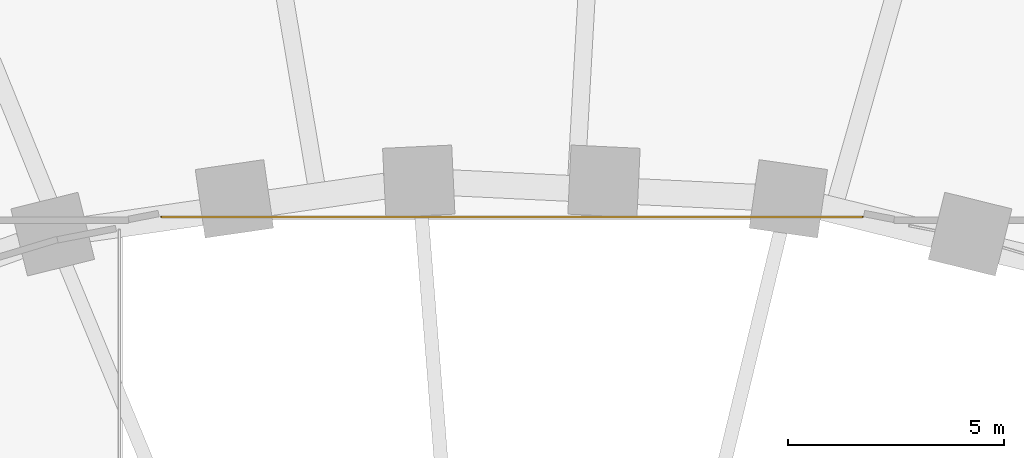
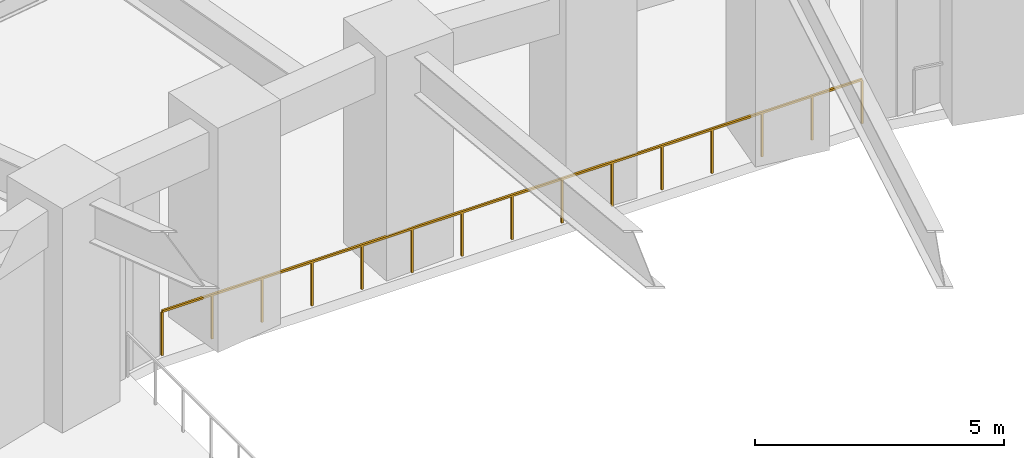
# One storey, part 69 of 69: 1 railing.
"""IFC4 building model written with IfcOpenShell, lengths in metres."""

import ifcopenshell
import ifcopenshell.guid

model = None  # the IFC model being written
_history = None  # IfcOwnerHistory: only IFC2X3 demands one
_inside = {}  # id of a spatial element -> (the spatial element, [elements in it])
_under = {}  # id of a project, library or spatial element -> (it, [spatial elements below it])
_declared = {}  # id of a project -> (the project, [libraries it declares])
_typed = {}  # id of a type object -> (the type object, [elements of that type])
_made_of = {}  # id of a material, layer set ... -> (it, [elements and type objects made of it])


def new_model(schema):
    """Start an empty IFC model of exactly this schema.

    Asked for "IFC4X3", IfcOpenShell would pick the latest addendum, in which some entities
    have other attributes; the version numbers below select the first issue.
    IFC2X3 requires an IfcOwnerHistory on every rooted entity: one is made here for all.
    """
    global model, _history
    if schema == "IFC4X3":
        model = ifcopenshell.file(schema_version=(4, 3, 0, 0))
    else:
        model = ifcopenshell.file(schema=schema)
    _inside.clear()
    _under.clear()
    _declared.clear()
    _typed.clear()
    _made_of.clear()
    _history = None
    if model.schema == "IFC2X3":
        org = make("IfcOrganization", Name="unknown")
        user = make(
            "IfcPersonAndOrganization",
            ThePerson=make("IfcPerson", FamilyName="unknown"),
            TheOrganization=org,
        )
        app = make(
            "IfcApplication",
            ApplicationDeveloper=org,
            Version="unknown",
            ApplicationFullName="unknown",
            ApplicationIdentifier="unknown",
        )
        _history = make(
            "IfcOwnerHistory",
            OwningUser=user,
            OwningApplication=app,
            ChangeAction="ADDED",
            CreationDate=0,
        )
    return model


def make(cls, **values):
    """One entity of the class cls with the attributes given. An attribute that is None is left unset."""
    return model.create_entity(
        cls, **{name: value for name, value in values.items() if value is not None}
    )


def rooted(cls, **values):
    """An entity with a GlobalId (a new one), such as an element, a storey or a relation."""
    return make(cls, GlobalId=ifcopenshell.guid.new(), OwnerHistory=_history, **values)


def si_unit(unit_type, name, prefix=None):
    """IfcSIUnit, for example si_unit("LENGTHUNIT", "METRE", prefix="MILLI")."""
    return make("IfcSIUnit", UnitType=unit_type, Prefix=prefix, Name=name)


def assignment(units):
    """IfcUnitAssignment: the units of a project."""
    return None if units is None else make("IfcUnitAssignment", Units=units)


def point(xyz):
    """IfcCartesianPoint."""
    return None if xyz is None else make("IfcCartesianPoint", Coordinates=xyz)


def direction(xyz):
    """IfcDirection."""
    return None if xyz is None else make("IfcDirection", DirectionRatios=xyz)


def frame(location, z_axis=None, x_axis=None):
    """IfcAxis2Placement3D, a coordinate frame: its origin and axes. An axis left out is left unset."""
    return make(
        "IfcAxis2Placement3D",
        Location=point(location),
        Axis=direction(z_axis),
        RefDirection=direction(x_axis),
    )


def frame_2d(location, x_axis=None):
    """IfcAxis2Placement2D, a coordinate frame in the plane: its origin and x axis."""
    return make(
        "IfcAxis2Placement2D", Location=point(location), RefDirection=direction(x_axis)
    )


def origin():
    """The frame at (0, 0, 0) with its axes left unset."""
    return frame((0.0, 0.0, 0.0))


def origin_2d():
    """The frame at (0, 0) in the plane with its x axis left unset."""
    return frame_2d((0.0, 0.0))


def place(relative_to, where):
    """IfcLocalPlacement: puts the frame where relative to a parent placement (None: the world)."""
    return make(
        "IfcLocalPlacement", PlacementRelTo=relative_to, RelativePlacement=where
    )


def context(
    kind, dimensions, precision=None, world=None, true_north=None, identifier=None
):
    """IfcGeometricRepresentationContext, for example the 3D "Model" context."""
    return make(
        "IfcGeometricRepresentationContext",
        ContextIdentifier=identifier,
        ContextType=kind,
        CoordinateSpaceDimension=dimensions,
        Precision=precision,
        WorldCoordinateSystem=world,
        TrueNorth=true_north,
    )


def subcontext(parent, identifier, kind, view, scale=None):
    """IfcGeometricRepresentationSubContext, for example "Body" below "Model"."""
    return make(
        "IfcGeometricRepresentationSubContext",
        ContextIdentifier=identifier,
        ContextType=kind,
        ParentContext=parent,
        TargetScale=scale,
        TargetView=view,
    )


def project(units=None, contexts=None):
    """IfcProject with its units and contexts."""
    return rooted(
        "IfcProject",
        Name="project",
        RepresentationContexts=contexts,
        UnitsInContext=assignment(units),
    )


def spatial(cls, under=None, at=None, **own):
    """A site, building, storey or space (cls), placed at a placement, below another one or the project."""
    s = rooted(cls, ObjectPlacement=at, **own)
    if under is not None:
        _under.setdefault(under.id(), (under, []))[1].append(s)
    return s


def profile(cls, at=None, kind="AREA", **sizes):
    """A parametric profile (cls). Its sizes go by their IFC names, for example OverallWidth=200.0."""
    return make(cls, ProfileType=kind, Position=at, **sizes)


def rectangle(**sizes):
    """IfcRectangleProfileDef."""
    return profile("IfcRectangleProfileDef", **sizes)


def extrude(swept, where, along, depth):
    """IfcExtrudedAreaSolid: the profile swept, set in the frame where, extruded along a direction by depth."""
    return make(
        "IfcExtrudedAreaSolid",
        SweptArea=swept,
        Position=where,
        ExtrudedDirection=direction(along),
        Depth=depth,
    )


def shape(context_of_items, identifier, shape_type, items):
    """IfcShapeRepresentation: the items that make up one representation, for example the "Body"."""
    return make(
        "IfcShapeRepresentation",
        ContextOfItems=context_of_items,
        RepresentationIdentifier=identifier,
        RepresentationType=shape_type,
        Items=items,
    )


def material(Name=None, Category=None):
    """IfcMaterial."""
    return make("IfcMaterial", Name=Name, Category=Category)


def made_of(thing, what):
    """Note that an element or type object is made of a material, layer set ...; save() writes the relation."""
    if what is not None:
        _made_of.setdefault(what.id(), (what, []))[1].append(thing)
    return thing


def type_object(cls, material=None, **own):
    """A type object (cls), such as IfcWallType, which elements share."""
    return made_of(rooted(cls, **own), material)


def element(
    cls,
    number,
    at=None,
    inside=None,
    cuts=None,
    type_object=None,
    material=None,
    context=None,
    identifier="Body",
    shape_type=None,
    held_by="IfcProductDefinitionShape",
    body=None,
    shapes=None,
    **own,
):
    """One element of the class cls, such as IfcWall. Its Tag is "e" and its number.

    at: its placement. inside: the storey or other place that contains it. cuts: it is an
    opening in that element (IfcRelVoidsElement). A single representation is given by context,
    identifier, shape_type and body (its items); several are given by shapes. held_by: the class
    of the entity that holds the representations. save() writes the other relations.
    """
    e = rooted(cls, Tag="e%d" % number, ObjectPlacement=at, **own)
    if body is not None:
        shapes = [shape(context, identifier, shape_type, body)]
    if shapes is not None:
        e.Representation = make(held_by, Representations=shapes)
    if inside is not None:
        _inside.setdefault(inside.id(), (inside, []))[1].append(e)
    if cuts is not None:
        rooted(
            "IfcRelVoidsElement", RelatingBuildingElement=cuts, RelatedOpeningElement=e
        )
    if type_object is not None:
        _typed.setdefault(type_object.id(), (type_object, []))[1].append(e)
    return made_of(e, material)


def aggregate(whole, parts):
    """IfcRelAggregates: a whole, such as a stair, and the parts it consists of."""
    return rooted("IfcRelAggregates", RelatingObject=whole, RelatedObjects=parts)


def save(model, path):
    """Write the relations noted so far, then the file.

    IfcRelAggregates (storeys below a building ...), IfcRelContainedInSpatialStructure (elements
    in a storey), IfcRelDefinesByType, IfcRelAssociatesMaterial and IfcRelDeclares: one each for
    every whole, place, type object, material and project.
    """
    for whole, parts in _under.values():
        aggregate(whole, parts)
    for where, things in _inside.values():
        rooted(
            "IfcRelContainedInSpatialStructure",
            RelatedElements=things,
            RelatingStructure=where,
        )
    for kind, things in _typed.values():
        rooted("IfcRelDefinesByType", RelatedObjects=things, RelatingType=kind)
    for what, things in _made_of.values():
        rooted("IfcRelAssociatesMaterial", RelatedObjects=things, RelatingMaterial=what)
    for by, libraries in _declared.values():
        rooted("IfcRelDeclares", RelatingContext=by, RelatedDefinitions=libraries)
    model.write(path)


model = new_model("IFC4")

# Units and contexts
model_context = context("Model", 3, precision=1e-05, world=origin(), true_north=direction((0.0, 1.0)))
body_context = subcontext(model_context, "Body", "Model", "MODEL_VIEW")
ifc_project = project(units=[si_unit("LENGTHUNIT", "METRE"), si_unit("AREAUNIT", "SQUARE_METRE"), si_unit("VOLUMEUNIT", "CUBIC_METRE"), si_unit("PLANEANGLEUNIT", "RADIAN"), si_unit("MASSUNIT", "GRAM", prefix="KILO")], contexts=[model_context])

# Site, building, storey
site_placement = place(None, origin())
site = spatial("IfcSite", under=ifc_project, at=site_placement, CompositionType="ELEMENT")
building_placement = place(site_placement, origin())
building = spatial("IfcBuilding", under=site, at=building_placement, Name="Noorbagh Ring Tower", CompositionType="ELEMENT")
storey_placement = place(building_placement, frame((0.0, 0.0, 19.5)))
storey = spatial("IfcBuildingStorey", under=building, at=storey_placement, Name="L03", CompositionType="ELEMENT", Elevation=19.5)

# Railing
ifc_material = material(Name="Stainless steel", Category="steel")
railing_type = type_object("IfcRailingType", Name="DECK-GUARD", PredefinedType="GUARDRAIL", material=ifc_material)
railing_placement = place(storey_placement, frame((-8.0966796875, 26.074951171875, 0.0)))
element("IfcRailing", 1, at=railing_placement, inside=storey, type_object=railing_type, Name="Auditorium edge guard 1", PredefinedType="GUARDRAIL", context=body_context, shape_type="SweptSolid", body=[
    extrude(rectangle(XDim=0.048095703125, YDim=0.048095703125, at=origin_2d()), frame((0.0, 0.0, 1.076171875), z_axis=(0.999999999887, -1.5049588e-05, 0.0), x_axis=(1.5049588e-05, 0.999999999887, 0.0)), (0.0, 0.0, 1.0), 16.222412109375),
    extrude(rectangle(XDim=0.0419921875, YDim=0.0419921875, at=origin_2d()), origin(), (0.0, 0.0, 1.0), 1.052001953125),
    extrude(rectangle(XDim=0.0419921875, YDim=0.0419921875, at=origin_2d()), frame((1.15869140625, 0.0, 0.0)), (0.0, 0.0, 1.0), 1.052001953125),
    extrude(rectangle(XDim=0.0419921875, YDim=0.0419921875, at=origin_2d()), frame((2.3173828125, 0.0, 0.0)), (0.0, 0.0, 1.0), 1.052001953125),
    extrude(rectangle(XDim=0.0419921875, YDim=0.0419921875, at=origin_2d()), frame((3.476318359375, 0.0, 0.0)), (0.0, 0.0, 1.0), 1.052001953125),
    extrude(rectangle(XDim=0.0419921875, YDim=0.0419921875, at=origin_2d()), frame((4.635009765625, 0.0, 0.0)), (0.0, 0.0, 1.0), 1.052001953125),
    extrude(rectangle(XDim=0.0419921875, YDim=0.0419921875, at=origin_2d()), frame((5.793701171875, 0.0, 0.0)), (0.0, 0.0, 1.0), 1.052001953125),
    extrude(rectangle(XDim=0.0419921875, YDim=0.0419921875, at=origin_2d()), frame((6.952392578125, 0.0, 0.0)), (0.0, 0.0, 1.0), 1.052001953125),
    extrude(rectangle(XDim=0.0419921875, YDim=0.0419921875, at=origin_2d()), frame((8.111328125, 0.0, 0.0)), (0.0, 0.0, 1.0), 1.052001953125),
    extrude(rectangle(XDim=0.0419921875, YDim=0.0419921875, at=origin_2d()), frame((9.27001953125, -0.000244140625, 0.0)), (0.0, 0.0, 1.0), 1.052001953125),
    extrude(rectangle(XDim=0.0419921875, YDim=0.0419921875, at=origin_2d()), frame((10.4287109375, -0.000244140625, 0.0)), (0.0, 0.0, 1.0), 1.052001953125),
    extrude(rectangle(XDim=0.0419921875, YDim=0.0419921875, at=origin_2d()), frame((11.58740234375, -0.000244140625, 0.0)), (0.0, 0.0, 1.0), 1.052001953125),
    extrude(rectangle(XDim=0.0419921875, YDim=0.0419921875, at=origin_2d()), frame((12.74609375, -0.000244140625, 0.0)), (0.0, 0.0, 1.0), 1.052001953125),
    extrude(rectangle(XDim=0.0419921875, YDim=0.0419921875, at=origin_2d()), frame((13.905029296875, -0.000244140625, 0.0)), (0.0, 0.0, 1.0), 1.052001953125),
    extrude(rectangle(XDim=0.0419921875, YDim=0.0419921875, at=origin_2d()), frame((15.063720703125, -0.000244140625, 0.0)), (0.0, 0.0, 1.0), 1.052001953125),
    extrude(rectangle(XDim=0.0419921875, YDim=0.0419921875, at=origin_2d()), frame((16.222412109375, -0.000244140625, 0.0)), (0.0, 0.0, 1.0), 1.052001953125),
])

save(model, "model.ifc")
